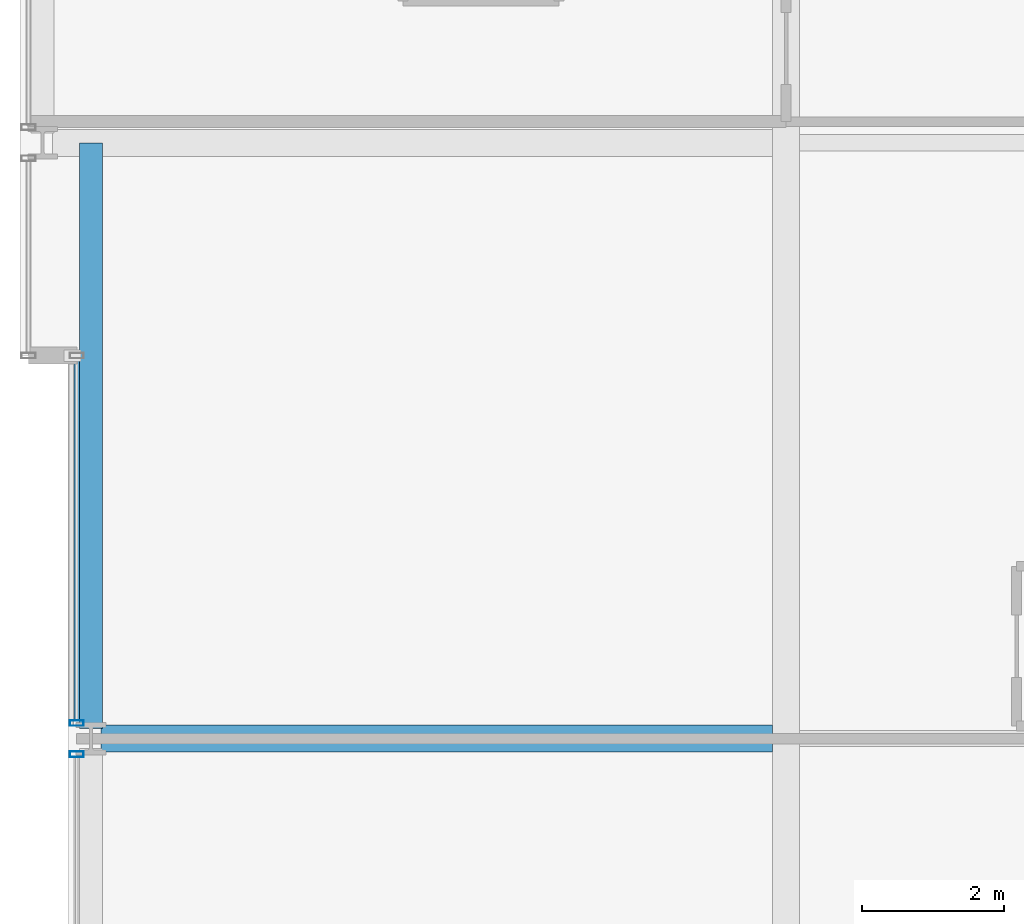
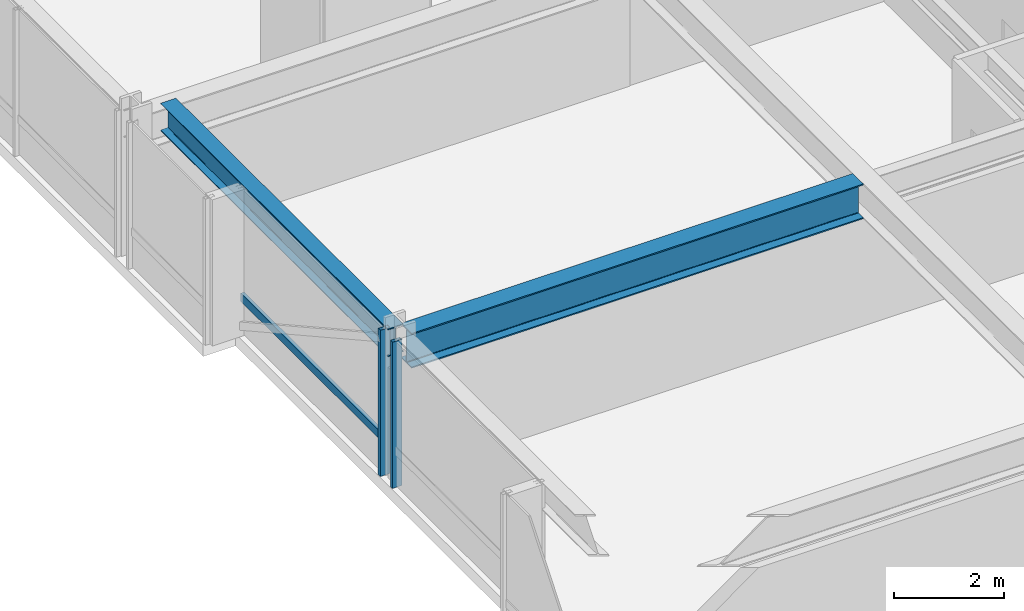
# One storey, part 9 of 35: 3 members, 2 beams, 2 elements without a shape of their own.
"""IFC4 building model written with IfcOpenShell, lengths in metres."""

from ifc_helpers import new_model, si_unit, direction, frame, origin, origin_2d, place, context, subcontext, project, spatial, hollow_rectangle, i_section, extrude, material, layer, layer_set, material_profile, profile_set, type_object, element, aggregate, save


model = new_model("IFC4")

# Units and contexts
model_context = context("Model", 3, precision=1e-05, world=origin(), true_north=direction((0.0, 1.0)))
body_context = subcontext(model_context, "Body", "Model", "MODEL_VIEW")
ifc_project = project(units=[si_unit("LENGTHUNIT", "METRE"), si_unit("AREAUNIT", "SQUARE_METRE"), si_unit("VOLUMEUNIT", "CUBIC_METRE"), si_unit("PLANEANGLEUNIT", "RADIAN"), si_unit("MASSUNIT", "GRAM", prefix="KILO")], contexts=[model_context])

# Site, building, storey
site_placement = place(None, origin())
site = spatial("IfcSite", under=ifc_project, at=site_placement, CompositionType="ELEMENT")
building_placement = place(site_placement, origin())
building = spatial("IfcBuilding", under=site, at=building_placement, Name="Drelvath Grand Hotel", CompositionType="ELEMENT")
storey_placement = place(building_placement, frame((0.0, 0.0, 95.300048828125)))
storey = spatial("IfcBuildingStorey", under=building, at=storey_placement, Name="L23", CompositionType="ELEMENT", Elevation=95.300048828125)

# Curtain wall, member
ifc_material_1 = material(Name="Champagne Bronze Anodised Aluminium Frame", Category="aluminium")
ifc_layer = layer(ifc_material_1, 0.199951171875)
ifc_layer_set = layer_set([ifc_layer], Name="Champagne Bronze Anodised Aluminium Frame")
curtain_wall_type = type_object("IfcCurtainWallType", Name="Stick Curtain Wall CW-03 Champagne Bronze Mid-Rise", PredefinedType="NOTDEFINED", material=ifc_layer_set)
curtain_wall_1_placement = place(storey_placement, origin())
curtain_wall_1 = element("IfcCurtainWall", 1, at=curtain_wall_1_placement, inside=storey, type_object=curtain_wall_type, Name="L23 CW-03 Curtain Wall CW03-L23-WM2", PredefinedType="NOTDEFINED")
ifc_material_profile_1 = material_profile(ifc_material_1, hollow_rectangle(XDim=0.074951171875, YDim=0.179931640625, WallThickness=0.0048828125, at=origin_2d()), Name="HSS180X75X5")
ifc_profile_set_1 = profile_set([ifc_material_profile_1], Name="Champagne Bronze Anodised Aluminium Frame")
member_type_1 = type_object("IfcMemberType", Name="Curtain Wall Horizontal Transom CW-03 HSS180X75X5", PredefinedType="USERDEFINED", material=ifc_profile_set_1)
member_1_placement = place(storey_placement, frame((-26.199951171875, 27.259521484375, 0.81005859375), z_axis=(0.0, 1.0, 0.0), x_axis=(-1.0, 0.0, 0.0)))
member_1 = element("IfcMember", 2, at=member_1_placement, type_object=member_type_1, Name="CW03-L23-WM2 Sill Transom", ObjectType="TRANSOM", PredefinedType="USERDEFINED", context=body_context, shape_type="SweptSolid", body=[
    extrude(hollow_rectangle(XDim=0.074951171875, YDim=0.179931640625, WallThickness=0.0048828125, at=origin_2d()), origin(), (0.0, 0.0, 1.0), 5.1005859375),
])

curtain_wall_2_placement = place(storey_placement, origin())
curtain_wall_2 = element("IfcCurtainWall", 3, at=curtain_wall_2_placement, inside=storey, type_object=curtain_wall_type, Name="L23 CW-03 Curtain Wall CW03-L23-WM1", PredefinedType="NOTDEFINED")
ifc_material_profile_2 = material_profile(ifc_material_1, hollow_rectangle(XDim=0.080078125, YDim=0.199951171875, WallThickness=0.0048828125, at=origin_2d()), Name="HSS200X80X5")
ifc_profile_set_2 = profile_set([ifc_material_profile_2], Name="Champagne Bronze Anodised Aluminium Frame")
member_type_2 = type_object("IfcMemberType", Name="Curtain Wall Vertical Mullion CW-03 HSS200X80X5", PredefinedType="MULLION", material=ifc_profile_set_2)
member_2_placement = place(storey_placement, frame((-26.199951171875, 26.780517578125, 0.0), z_axis=(0.0, 0.0, 1.0), x_axis=(0.0, 1.0, 0.0)))
member_2 = element("IfcMember", 4, at=member_2_placement, type_object=member_type_2, Name="CW03-L23-WM1 Mullion 2", PredefinedType="MULLION", context=body_context, shape_type="SweptSolid", body=[
    extrude(hollow_rectangle(XDim=0.080078125, YDim=0.199951171875, WallThickness=0.0048828125, at=origin_2d()), origin(), (0.0, 0.0, 1.0), 3.239990234375),
])
aggregate(curtain_wall_2, [member_2])

# Member
member_3_placement = place(storey_placement, frame((-26.199951171875, 27.219482421875, 0.0), z_axis=(0.0, 0.0, 1.0), x_axis=(0.0, 1.0, 0.0)))
member_3 = element("IfcMember", 5, at=member_3_placement, type_object=member_type_2, Name="CW03-L23-WM2 Mullion 1", PredefinedType="MULLION", context=body_context, shape_type="SweptSolid", body=[
    extrude(hollow_rectangle(XDim=0.080078125, YDim=0.199951171875, WallThickness=0.0048828125, at=origin_2d()), origin(), (0.0, 0.0, 1.0), 3.239990234375),
])

aggregate(curtain_wall_1, [member_3, member_1])

# Beams
ifc_material_2 = material(Name="Steel ASTM A992 Gr 50", Category="steel")
ifc_material_profile_3 = material_profile(ifc_material_2, i_section(OverallWidth=0.323974609375, OverallDepth=0.611083984375, WebThickness=0.0126953125, FlangeThickness=0.01904296875, FilletRadius=0.02197265625, at=origin_2d()), Name="W24X104")
ifc_profile_set_3 = profile_set([ifc_material_profile_3], Name="Steel ASTM A992 Gr 50")
beam_type_1 = type_object("IfcBeamType", Name="Perimeter Spandrel Beam W24X104", PredefinedType="SPANDREL", material=ifc_profile_set_3)
beam_1_placement = place(storey_placement, frame((-26.0, 27.139892578125, 2.9345703125), z_axis=(0.0, 1.0, 0.0), x_axis=(-1.0, 0.0, 0.0)))
element("IfcBeam", 6, at=beam_1_placement, inside=storey, type_object=beam_type_1, Name="L23 Spandrel West Mid N", PredefinedType="SPANDREL", context=body_context, shape_type="SweptSolid", body=[
    extrude(i_section(OverallWidth=0.323974609375, OverallDepth=0.611083984375, WebThickness=0.0126953125, FlangeThickness=0.01904296875, FilletRadius=0.02197265625, at=origin_2d()), origin(), (0.0, 0.0, 1.0), 8.260009765625),
])
ifc_material_profile_4 = material_profile(ifc_material_2, i_section(OverallWidth=0.380615234375, OverallDepth=0.773193359375, WebThickness=0.0166015625, FlangeThickness=0.027099609375, FilletRadius=0.02490234375, at=origin_2d()), Name="W30X173")
ifc_profile_set_4 = profile_set([ifc_material_profile_4], Name="Steel ASTM A992 Gr 50")
beam_type_2 = type_object("IfcBeamType", Name="Primary Floor Girder W30X173", PredefinedType="BEAM", material=ifc_profile_set_4)
beam_2_placement = place(storey_placement, frame((-25.860107421875, 27.0, 2.853271484375), z_axis=(1.0, 0.0, 0.0), x_axis=(0.0, 1.0, 0.0)))
element("IfcBeam", 7, at=beam_2_placement, inside=storey, type_object=beam_type_2, Name="L23 West Wing Girder E", PredefinedType="BEAM", context=body_context, shape_type="SweptSolid", body=[
    extrude(i_section(OverallWidth=0.380615234375, OverallDepth=0.773193359375, WebThickness=0.0166015625, FlangeThickness=0.027099609375, FilletRadius=0.02490234375, at=origin_2d()), origin(), (0.0, 0.0, 1.0), 9.4697265625),
])

save(model, "model.ifc")
